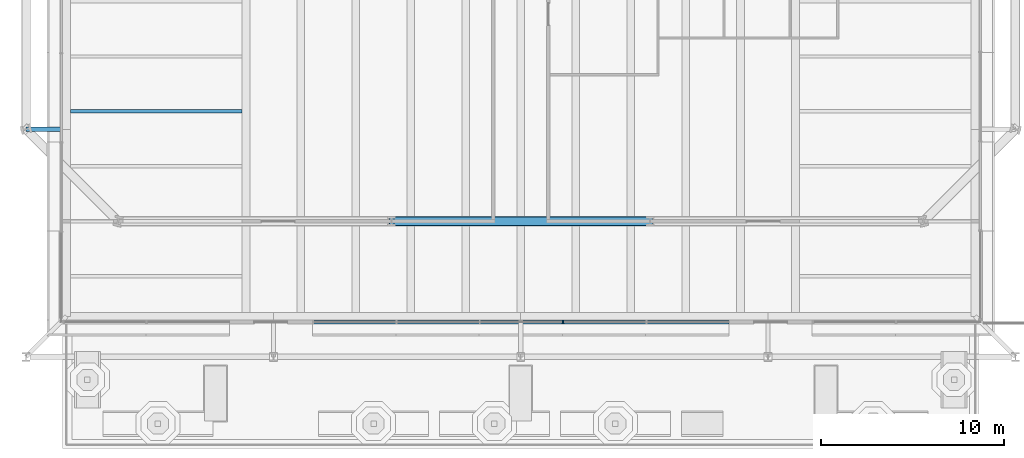
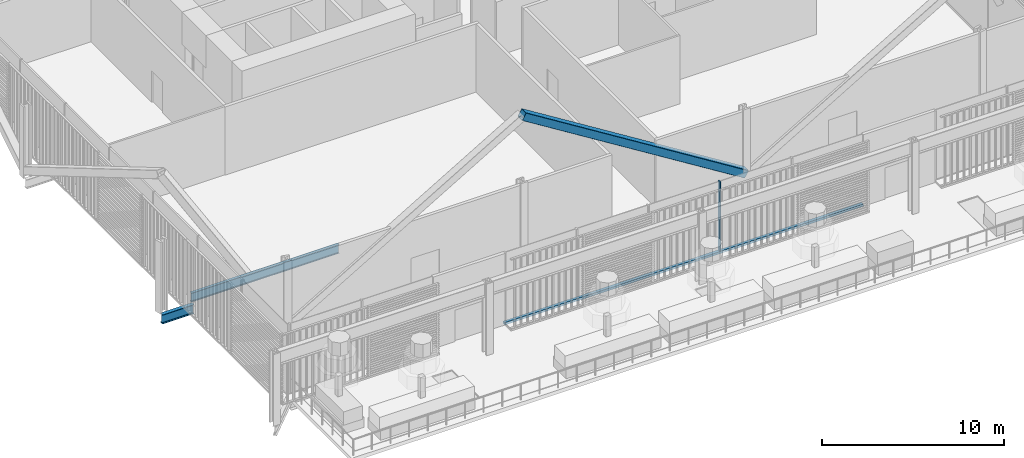
# One storey, part 3 of 26: 3 members, 2 beams, 1 element without a shape of its own.
"""IFC4 building model written with IfcOpenShell, lengths in metres."""

from ifc_helpers import new_model, si_unit, direction, frame, origin, origin_2d, place, context, subcontext, project, spatial, rectangle, hollow_rectangle, i_section, extrude, material, layer, layer_set, material_profile, profile_set, type_object, element, aggregate, save


model = new_model("IFC4")

# Units and contexts
model_context = context("Model", 3, precision=1e-05, world=origin(), true_north=direction((0.0, 1.0)))
body_context = subcontext(model_context, "Body", "Model", "MODEL_VIEW")
ifc_project = project(units=[si_unit("LENGTHUNIT", "METRE"), si_unit("AREAUNIT", "SQUARE_METRE"), si_unit("VOLUMEUNIT", "CUBIC_METRE"), si_unit("PLANEANGLEUNIT", "RADIAN"), si_unit("MASSUNIT", "GRAM", prefix="KILO")], contexts=[model_context])

# Site, building, storey
site_placement = place(None, origin())
site = spatial("IfcSite", under=ifc_project, at=site_placement, CompositionType="ELEMENT")
building_placement = place(site_placement, origin())
building = spatial("IfcBuilding", under=site, at=building_placement, Name="Millrace Tower", CompositionType="ELEMENT")
storey_placement = place(building_placement, frame((0.0, 0.0, 11.300048828125)))
storey = spatial("IfcBuildingStorey", under=building, at=storey_placement, Name="L03", CompositionType="ELEMENT", Elevation=11.300048828125)

# Curtain wall, members
ifc_material_1 = material(Name="Aluminium and glass", Category="aluminium")
ifc_layer = layer(ifc_material_1, 0.199951171875)
ifc_layer_set = layer_set([ifc_layer], Name="Aluminium and glass")
curtain_wall_type = type_object("IfcCurtainWallType", Name="CW-6 lobby and cascade wing storefront", PredefinedType="NOTDEFINED", material=ifc_layer_set)
curtain_wall_placement = place(storey_placement, origin())
curtain_wall = element("IfcCurtainWall", 1, at=curtain_wall_placement, inside=storey, type_object=curtain_wall_type, Name="Curtain wall AW3-F01 L03", PredefinedType="NOTDEFINED")
ifc_material_2 = material(Name="Aluminium", Category="aluminium")
ifc_material_profile_1 = material_profile(ifc_material_2, rectangle(XDim=0.074951171875, YDim=0.199951171875, at=origin_2d()))
ifc_profile_set_1 = profile_set([ifc_material_profile_1], Name="Aluminium")
member_type_1 = type_object("IfcMemberType", Name="CW-6 lobby and cascade wing storefront mullion", PredefinedType="MULLION", material=ifc_profile_set_1)
member_1_placement = place(storey_placement, frame((2.310302734375, -32.5, 0.14990234375), z_axis=(0.0, 0.0, 1.0), x_axis=(1.0, 0.0, 0.0)))
member_1 = element("IfcMember", 2, at=member_1_placement, type_object=member_type_1, Name="CW6 mullion AW3-F01.7", PredefinedType="MULLION", context=body_context, shape_type="SweptSolid", body=[
    extrude(rectangle(XDim=0.074951171875, YDim=0.199951171875, at=origin_2d()), origin(), (0.0, 0.0, 1.0), 4.650146484375),
])
ifc_material_3 = material(Name="Aluminium", Category="aluminium")
ifc_material_profile_2 = material_profile(ifc_material_3, rectangle(XDim=0.199951171875, YDim=0.14990234375, at=origin_2d()))
ifc_profile_set_2 = profile_set([ifc_material_profile_2], Name="Aluminium")
member_type_2 = type_object("IfcMemberType", Name="CW-6 lobby and cascade wing storefront transom", PredefinedType="USERDEFINED", material=ifc_profile_set_2)
member_2_placement = place(storey_placement, frame((-11.363525390625, -32.5, 0.074951171875), z_axis=(1.0, 0.0, 0.0), x_axis=(0.0, 1.0, 0.0)))
member_2 = element("IfcMember", 3, at=member_2_placement, type_object=member_type_2, Name="CW6 transom AW3-F01.2", ObjectType="TRANSOM", PredefinedType="USERDEFINED", context=body_context, shape_type="SweptSolid", body=[
    extrude(rectangle(XDim=0.199951171875, YDim=0.14990234375, at=origin_2d()), origin(), (0.0, 0.0, 1.0), 22.72705078125),
])
aggregate(curtain_wall, [member_1, member_2])

# Member
ifc_material_4 = material(Name="Steel ASTM A500 Grade C", Category="steel")
ifc_material_profile_3 = material_profile(ifc_material_4, hollow_rectangle(XDim=0.508056640625, YDim=0.508056640625, WallThickness=0.022216796875, InnerFilletRadius=0.01123046875, OuterFilletRadius=0.033447265625, at=origin_2d()))
ifc_profile_set_3 = profile_set([ifc_material_profile_3], Name="Steel ASTM A500 Grade C")
member_type_3 = type_object("IfcMemberType", Name="Exoskeleton brace HSS20x20x7/8", PredefinedType="BRACE", material=ifc_profile_set_3)
member_3_placement = place(storey_placement, frame((7.050048828125, -27.0, 0.39990234375), z_axis=(-0.848336468551, 0.0, 0.529457492276), x_axis=(0.0, -1.0, 0.0)))
element("IfcMember", 4, at=member_3_placement, inside=storey, type_object=member_type_3, Name="BRC-A-L03-03", PredefinedType="BRACE", context=body_context, shape_type="SweptSolid", body=[
    extrude(hollow_rectangle(XDim=0.508056640625, YDim=0.508056640625, WallThickness=0.022216796875, InnerFilletRadius=0.01123046875, OuterFilletRadius=0.033447265625, at=origin_2d()), origin(), (0.0, 0.0, 1.0), 16.620849609375),
])

# Beams
ifc_material_5 = material(Name="Steel ASTM A992 Grade 50", Category="steel")
ifc_material_profile_4 = material_profile(ifc_material_5, i_section(OverallWidth=0.1787109375, OverallDepth=0.60205078125, WebThickness=0.010986328125, FlangeThickness=0.014892578125, FilletRadius=0.0126953125, at=origin_2d()))
ifc_profile_set_4 = profile_set([ifc_material_profile_4], Name="Steel ASTM A992 Grade 50")
beam_type_1 = type_object("IfcBeamType", Name="Floor beam W24x62", PredefinedType="JOIST", material=ifc_profile_set_4)
beam_1_placement = place(storey_placement, frame((-24.578369140625, -21.0, -0.526123046875), z_axis=(1.0, 0.0, 0.0), x_axis=(0.0, 1.0, 0.0)))
element("IfcBeam", 5, at=beam_1_placement, inside=storey, type_object=beam_type_1, Name="BM-A-L03-S1-S009", PredefinedType="JOIST", context=body_context, shape_type="SweptSolid", body=[
    extrude(i_section(OverallWidth=0.1787109375, OverallDepth=0.60205078125, WebThickness=0.010986328125, FlangeThickness=0.014892578125, FilletRadius=0.0126953125, at=origin_2d()), origin(), (0.0, 0.0, 1.0), 9.3662109375),
])
ifc_material_6 = material(Name="Steel ASTM A992 Grade 50", Category="steel")
ifc_material_profile_5 = material_profile(ifc_material_6, i_section(OverallWidth=0.23046875, OverallDepth=0.6171875, WebThickness=0.01318359375, FlangeThickness=0.022216796875, FilletRadius=0.012939453125, at=origin_2d()))
ifc_profile_set_5 = profile_set([ifc_material_profile_5], Name="Steel ASTM A992 Grade 50")
beam_type_2 = type_object("IfcBeamType", Name="Link beam W24x94", PredefinedType="BEAM", material=ifc_profile_set_5)
beam_2_placement = place(storey_placement, frame((-25.0, -21.978515625, -0.53369140625), z_axis=(-1.0, 0.0, 0.0), x_axis=(0.0, -1.0, 0.0)))
element("IfcBeam", 6, at=beam_2_placement, inside=storey, type_object=beam_type_2, Name="LNK-A-L03-S1-02", PredefinedType="BEAM", context=body_context, shape_type="SweptSolid", body=[
    extrude(i_section(OverallWidth=0.23046875, OverallDepth=0.6171875, WebThickness=0.01318359375, FlangeThickness=0.022216796875, FilletRadius=0.012939453125, at=origin_2d()), origin(), (0.0, 0.0, 1.0), 2.0),
])

save(model, "model.ifc")
